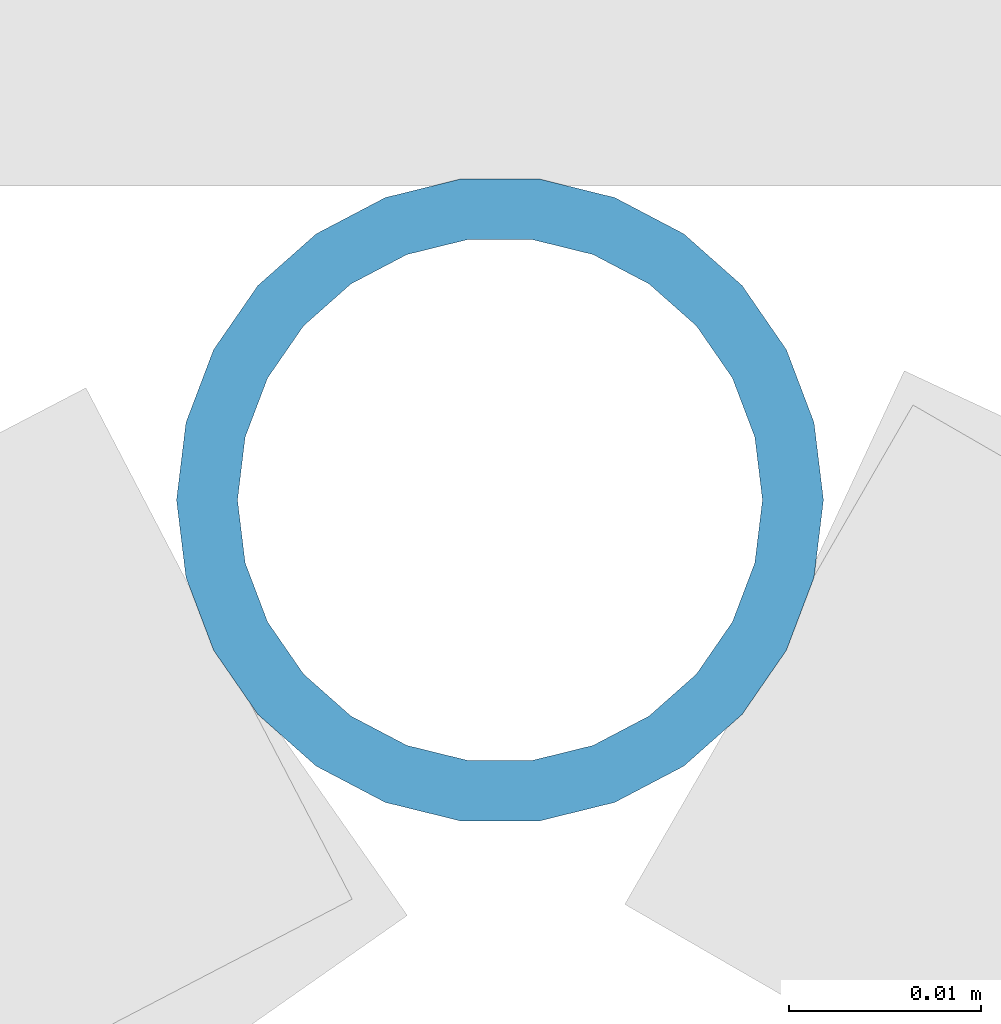
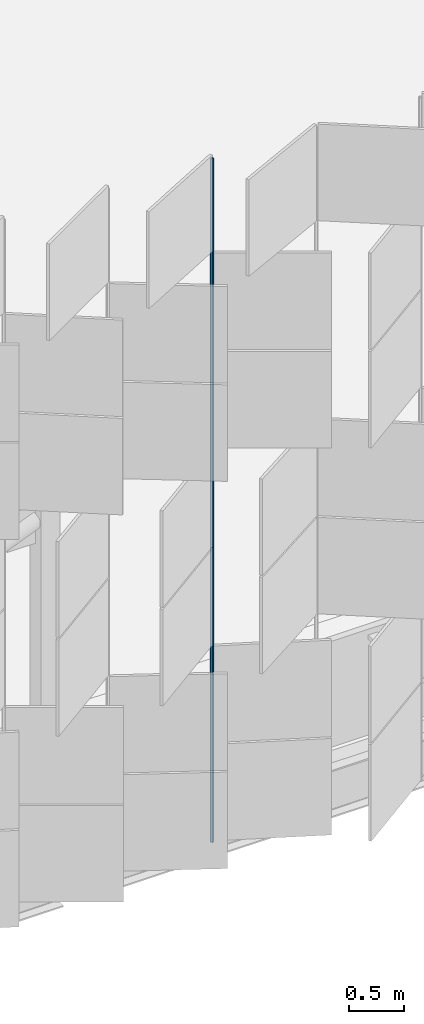
# One storey, part 231 of 483: 1 discrete accessory.
"""IFC4 building model written with IfcOpenShell, lengths in metres."""

from ifc_helpers import new_model, si_unit, direction, frame, origin, origin_2d, place, context, subcontext, project, spatial, hollow_circle, extrude, material, material_profile, profile_set, type_object, element, save


model = new_model("IFC4")

# Units and contexts
model_context = context("Model", 3, precision=1e-05, world=origin(), true_north=direction((0.0, 1.0)))
body_context = subcontext(model_context, "Body", "Model", "MODEL_VIEW")
ifc_project = project(units=[si_unit("LENGTHUNIT", "METRE"), si_unit("AREAUNIT", "SQUARE_METRE"), si_unit("VOLUMEUNIT", "CUBIC_METRE"), si_unit("PLANEANGLEUNIT", "RADIAN"), si_unit("MASSUNIT", "GRAM", prefix="KILO")], contexts=[model_context])

# Site, building, storey
site_placement = place(None, origin())
site = spatial("IfcSite", under=ifc_project, at=site_placement, CompositionType="ELEMENT")
building_placement = place(site_placement, origin())
building = spatial("IfcBuilding", under=site, at=building_placement, Name="Parallax Yard Mobility Hub", CompositionType="ELEMENT")
storey_placement = place(building_placement, frame((0.0, 0.0, 13.199951171875)))
storey = spatial("IfcBuildingStorey", under=building, at=storey_placement, Name="L04", CompositionType="ELEMENT", Elevation=13.199951171875)

# Discrete accessory
ifc_material = material(Name="Steel ASTM A500 Gr C, hot-dip galvanised", Category="steel")
ifc_material_profile = material_profile(ifc_material, hollow_circle(Radius=0.016845703125, WallThickness=0.003173828125, at=origin_2d()), Name="CHS 33.7x3.2")
ifc_profile_set = profile_set([ifc_material_profile], Name="Steel ASTM A500 Gr C, hot-dip galvanised")
discrete_accessory_type = type_object("IfcDiscreteAccessoryType", Name="Hinge post CHS 33.7x3.2", PredefinedType="BRACKET", material=ifc_profile_set)
discrete_accessory_placement = place(storey_placement, frame((166.066162109375, 111.783935546875, 0.0), z_axis=(0.0, 0.0, 1.0), x_axis=(1.0, 0.0, 0.0)))
element("IfcDiscreteAccessory", 1, at=discrete_accessory_placement, inside=storey, type_object=discrete_accessory_type, Name="Hinge post bay 17.2 level L04", PredefinedType="BRACKET", context=body_context, shape_type="SweptSolid", body=[
    extrude(hollow_circle(Radius=0.016845703125, WallThickness=0.003173828125, at=origin_2d()), origin(), (0.0, 0.0, 1.0), 7.650146484375),
])

save(model, "model.ifc")
